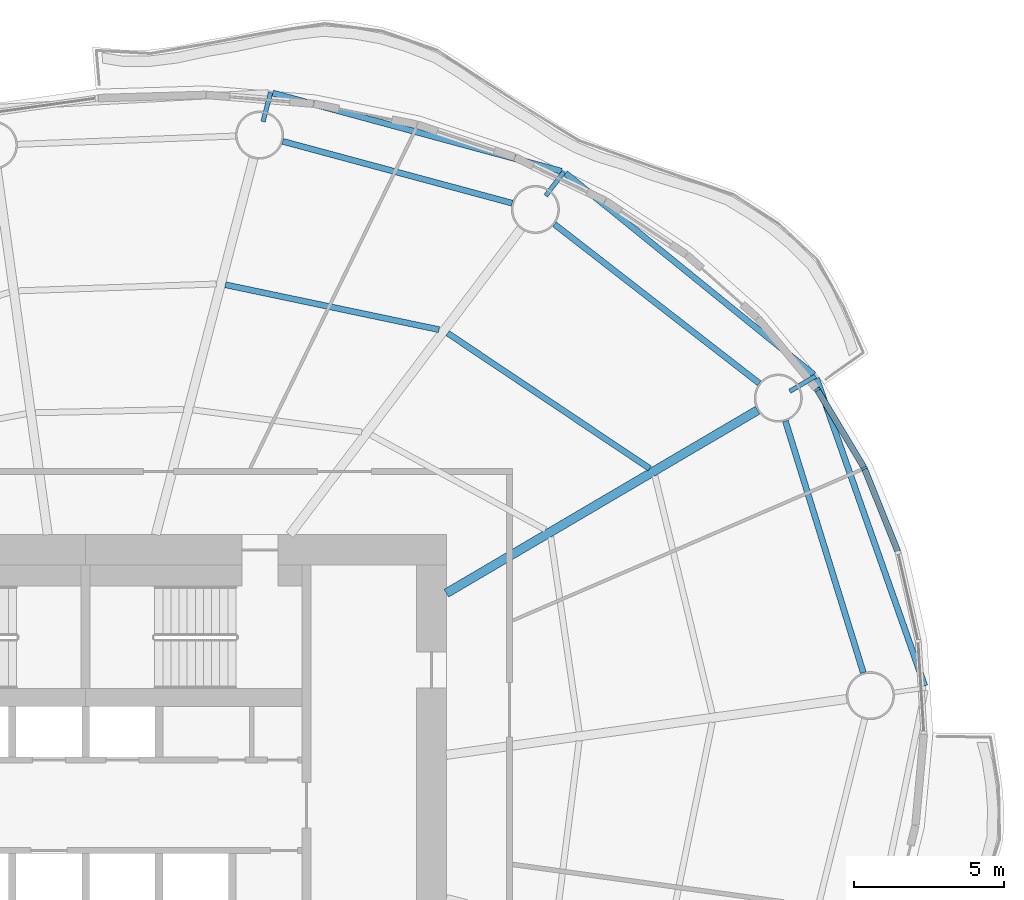
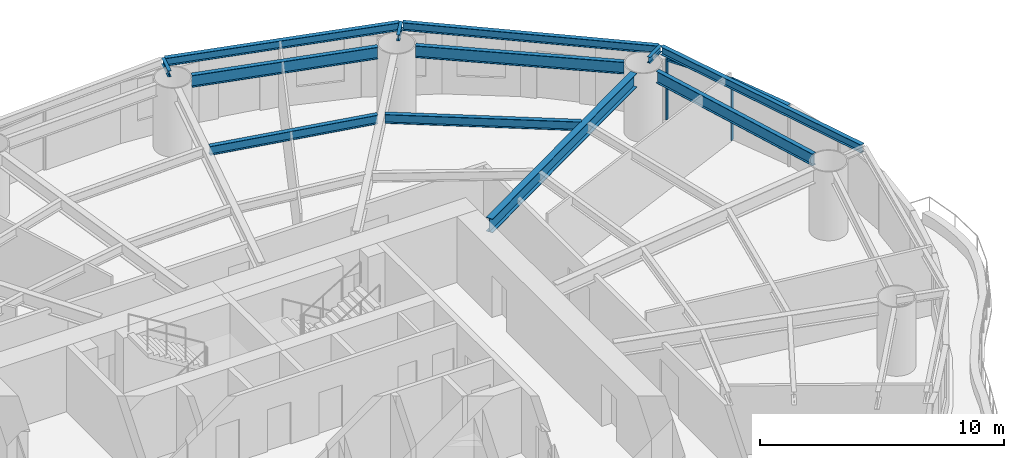
# One storey, part 6 of 16: 12 beams, 4 members, 2 elements without a shape of their own.
"""IFC4 building model written with IfcOpenShell, lengths in metres."""

import ifcopenshell
import ifcopenshell.guid

model = None  # the IFC model being written
_history = None  # IfcOwnerHistory: only IFC2X3 demands one
_inside = {}  # id of a spatial element -> (the spatial element, [elements in it])
_under = {}  # id of a project, library or spatial element -> (it, [spatial elements below it])
_declared = {}  # id of a project -> (the project, [libraries it declares])
_typed = {}  # id of a type object -> (the type object, [elements of that type])
_made_of = {}  # id of a material, layer set ... -> (it, [elements and type objects made of it])


def new_model(schema):
    """Start an empty IFC model of exactly this schema.

    Asked for "IFC4X3", IfcOpenShell would pick the latest addendum, in which some entities
    have other attributes; the version numbers below select the first issue.
    IFC2X3 requires an IfcOwnerHistory on every rooted entity: one is made here for all.
    """
    global model, _history
    if schema == "IFC4X3":
        model = ifcopenshell.file(schema_version=(4, 3, 0, 0))
    else:
        model = ifcopenshell.file(schema=schema)
    _inside.clear()
    _under.clear()
    _declared.clear()
    _typed.clear()
    _made_of.clear()
    _history = None
    if model.schema == "IFC2X3":
        org = make("IfcOrganization", Name="unknown")
        user = make(
            "IfcPersonAndOrganization",
            ThePerson=make("IfcPerson", FamilyName="unknown"),
            TheOrganization=org,
        )
        app = make(
            "IfcApplication",
            ApplicationDeveloper=org,
            Version="unknown",
            ApplicationFullName="unknown",
            ApplicationIdentifier="unknown",
        )
        _history = make(
            "IfcOwnerHistory",
            OwningUser=user,
            OwningApplication=app,
            ChangeAction="ADDED",
            CreationDate=0,
        )
    return model


def make(cls, **values):
    """One entity of the class cls with the attributes given. An attribute that is None is left unset."""
    return model.create_entity(
        cls, **{name: value for name, value in values.items() if value is not None}
    )


def rooted(cls, **values):
    """An entity with a GlobalId (a new one), such as an element, a storey or a relation."""
    return make(cls, GlobalId=ifcopenshell.guid.new(), OwnerHistory=_history, **values)


def si_unit(unit_type, name, prefix=None):
    """IfcSIUnit, for example si_unit("LENGTHUNIT", "METRE", prefix="MILLI")."""
    return make("IfcSIUnit", UnitType=unit_type, Prefix=prefix, Name=name)


def assignment(units):
    """IfcUnitAssignment: the units of a project."""
    return None if units is None else make("IfcUnitAssignment", Units=units)


def point(xyz):
    """IfcCartesianPoint."""
    return None if xyz is None else make("IfcCartesianPoint", Coordinates=xyz)


def direction(xyz):
    """IfcDirection."""
    return None if xyz is None else make("IfcDirection", DirectionRatios=xyz)


def frame(location, z_axis=None, x_axis=None):
    """IfcAxis2Placement3D, a coordinate frame: its origin and axes. An axis left out is left unset."""
    return make(
        "IfcAxis2Placement3D",
        Location=point(location),
        Axis=direction(z_axis),
        RefDirection=direction(x_axis),
    )


def frame_2d(location, x_axis=None):
    """IfcAxis2Placement2D, a coordinate frame in the plane: its origin and x axis."""
    return make(
        "IfcAxis2Placement2D", Location=point(location), RefDirection=direction(x_axis)
    )


def origin():
    """The frame at (0, 0, 0) with its axes left unset."""
    return frame((0.0, 0.0, 0.0))


def origin_2d():
    """The frame at (0, 0) in the plane with its x axis left unset."""
    return frame_2d((0.0, 0.0))


def place(relative_to, where):
    """IfcLocalPlacement: puts the frame where relative to a parent placement (None: the world)."""
    return make(
        "IfcLocalPlacement", PlacementRelTo=relative_to, RelativePlacement=where
    )


def context(
    kind, dimensions, precision=None, world=None, true_north=None, identifier=None
):
    """IfcGeometricRepresentationContext, for example the 3D "Model" context."""
    return make(
        "IfcGeometricRepresentationContext",
        ContextIdentifier=identifier,
        ContextType=kind,
        CoordinateSpaceDimension=dimensions,
        Precision=precision,
        WorldCoordinateSystem=world,
        TrueNorth=true_north,
    )


def subcontext(parent, identifier, kind, view, scale=None):
    """IfcGeometricRepresentationSubContext, for example "Body" below "Model"."""
    return make(
        "IfcGeometricRepresentationSubContext",
        ContextIdentifier=identifier,
        ContextType=kind,
        ParentContext=parent,
        TargetScale=scale,
        TargetView=view,
    )


def project(units=None, contexts=None):
    """IfcProject with its units and contexts."""
    return rooted(
        "IfcProject",
        Name="project",
        RepresentationContexts=contexts,
        UnitsInContext=assignment(units),
    )


def spatial(cls, under=None, at=None, **own):
    """A site, building, storey or space (cls), placed at a placement, below another one or the project."""
    s = rooted(cls, ObjectPlacement=at, **own)
    if under is not None:
        _under.setdefault(under.id(), (under, []))[1].append(s)
    return s


def profile(cls, at=None, kind="AREA", **sizes):
    """A parametric profile (cls). Its sizes go by their IFC names, for example OverallWidth=200.0."""
    return make(cls, ProfileType=kind, Position=at, **sizes)


def rectangle(**sizes):
    """IfcRectangleProfileDef."""
    return profile("IfcRectangleProfileDef", **sizes)


def i_section(**sizes):
    """IfcIShapeProfileDef."""
    return profile("IfcIShapeProfileDef", **sizes)


def extrude(swept, where, along, depth):
    """IfcExtrudedAreaSolid: the profile swept, set in the frame where, extruded along a direction by depth."""
    return make(
        "IfcExtrudedAreaSolid",
        SweptArea=swept,
        Position=where,
        ExtrudedDirection=direction(along),
        Depth=depth,
    )


def shape(context_of_items, identifier, shape_type, items):
    """IfcShapeRepresentation: the items that make up one representation, for example the "Body"."""
    return make(
        "IfcShapeRepresentation",
        ContextOfItems=context_of_items,
        RepresentationIdentifier=identifier,
        RepresentationType=shape_type,
        Items=items,
    )


def material(Name=None, Category=None):
    """IfcMaterial."""
    return make("IfcMaterial", Name=Name, Category=Category)


def material_profile(
    of_material, cross_section, Name=None, Category=None, Priority=None
):
    """IfcMaterialProfile: a cross section and its material."""
    return make(
        "IfcMaterialProfile",
        Name=Name,
        Material=of_material,
        Profile=cross_section,
        Priority=Priority,
        Category=Category,
    )


def profile_set(profiles, Name=None, composite=None):
    """IfcMaterialProfileSet."""
    return make(
        "IfcMaterialProfileSet",
        Name=Name,
        MaterialProfiles=profiles,
        CompositeProfile=composite,
    )


def made_of(thing, what):
    """Note that an element or type object is made of a material, layer set ...; save() writes the relation."""
    if what is not None:
        _made_of.setdefault(what.id(), (what, []))[1].append(thing)
    return thing


def type_object(cls, material=None, **own):
    """A type object (cls), such as IfcWallType, which elements share."""
    return made_of(rooted(cls, **own), material)


def element(
    cls,
    number,
    at=None,
    inside=None,
    cuts=None,
    type_object=None,
    material=None,
    context=None,
    identifier="Body",
    shape_type=None,
    held_by="IfcProductDefinitionShape",
    body=None,
    shapes=None,
    **own,
):
    """One element of the class cls, such as IfcWall. Its Tag is "e" and its number.

    at: its placement. inside: the storey or other place that contains it. cuts: it is an
    opening in that element (IfcRelVoidsElement). A single representation is given by context,
    identifier, shape_type and body (its items); several are given by shapes. held_by: the class
    of the entity that holds the representations. save() writes the other relations.
    """
    e = rooted(cls, Tag="e%d" % number, ObjectPlacement=at, **own)
    if body is not None:
        shapes = [shape(context, identifier, shape_type, body)]
    if shapes is not None:
        e.Representation = make(held_by, Representations=shapes)
    if inside is not None:
        _inside.setdefault(inside.id(), (inside, []))[1].append(e)
    if cuts is not None:
        rooted(
            "IfcRelVoidsElement", RelatingBuildingElement=cuts, RelatedOpeningElement=e
        )
    if type_object is not None:
        _typed.setdefault(type_object.id(), (type_object, []))[1].append(e)
    return made_of(e, material)


def aggregate(whole, parts):
    """IfcRelAggregates: a whole, such as a stair, and the parts it consists of."""
    return rooted("IfcRelAggregates", RelatingObject=whole, RelatedObjects=parts)


def save(model, path):
    """Write the relations noted so far, then the file.

    IfcRelAggregates (storeys below a building ...), IfcRelContainedInSpatialStructure (elements
    in a storey), IfcRelDefinesByType, IfcRelAssociatesMaterial and IfcRelDeclares: one each for
    every whole, place, type object, material and project.
    """
    for whole, parts in _under.values():
        aggregate(whole, parts)
    for where, things in _inside.values():
        rooted(
            "IfcRelContainedInSpatialStructure",
            RelatedElements=things,
            RelatingStructure=where,
        )
    for kind, things in _typed.values():
        rooted("IfcRelDefinesByType", RelatedObjects=things, RelatingType=kind)
    for what, things in _made_of.values():
        rooted("IfcRelAssociatesMaterial", RelatedObjects=things, RelatingMaterial=what)
    for by, libraries in _declared.values():
        rooted("IfcRelDeclares", RelatingContext=by, RelatedDefinitions=libraries)
    model.write(path)


model = new_model("IFC4")

# Units and contexts
model_context = context("Model", 3, precision=1e-05, world=origin(), true_north=direction((0.0, 1.0)))
body_context = subcontext(model_context, "Body", "Model", "MODEL_VIEW")
ifc_project = project(units=[si_unit("LENGTHUNIT", "METRE"), si_unit("AREAUNIT", "SQUARE_METRE"), si_unit("VOLUMEUNIT", "CUBIC_METRE"), si_unit("PLANEANGLEUNIT", "RADIAN"), si_unit("MASSUNIT", "GRAM", prefix="KILO")], contexts=[model_context])

# Site, building, storey
site_placement = place(None, origin())
site = spatial("IfcSite", under=ifc_project, at=site_placement, CompositionType="ELEMENT")
building_placement = place(site_placement, origin())
building = spatial("IfcBuilding", under=site, at=building_placement, Name="Vermilion Reach Broadcast Tower", CompositionType="ELEMENT")
storey_placement = place(building_placement, frame((0.0, 0.0, 103.0)))
storey = spatial("IfcBuildingStorey", under=building, at=storey_placement, Name="L23", CompositionType="ELEMENT", Elevation=103.0)

# Beams
ifc_material_1 = material(Name="Steel S355J2", Category="steel")
ifc_material_profile_1 = material_profile(ifc_material_1, i_section(OverallWidth=0.199951171875, OverallDepth=0.39990234375, WebThickness=0.008056640625, FlangeThickness=0.012939453125, at=origin_2d()), Name="S355J2 HN 400x200x8x13")
ifc_profile_set_1 = profile_set([ifc_material_profile_1], Name="Steel S355J2")
beam_type_1 = type_object("IfcBeamType", Name="EB2 HN 400x200x8x13", PredefinedType="BEAM", material=ifc_profile_set_1)
beam_1_placement = place(storey_placement, frame((18.224853515625, 14.328125, 3.25), z_axis=(-0.776693812818, 0.629878338356, 0.0), x_axis=(-0.629878338356, -0.776693812818, 0.0)))
element("IfcBeam", 1, at=beam_1_placement, inside=storey, type_object=beam_type_1, Name="Edge beam EB2-01", PredefinedType="BEAM", context=body_context, shape_type="SweptSolid", body=[
    extrude(i_section(OverallWidth=0.199951171875, OverallDepth=0.39990234375, WebThickness=0.008056640625, FlangeThickness=0.012939453125, at=origin_2d()), origin(), (0.0, 0.0, 1.0), 10.632568359375),
])
beam_2_placement = place(storey_placement, frame((9.830322265625, 21.093994140625, 3.25), z_axis=(-0.965297544198, 0.261152543862, 0.0), x_axis=(-0.261152543862, -0.965297544198, 0.0)))
element("IfcBeam", 2, at=beam_2_placement, inside=storey, type_object=beam_type_1, Name="Edge beam EB2-02", PredefinedType="BEAM", context=body_context, shape_type="SweptSolid", body=[
    extrude(i_section(OverallWidth=0.199951171875, OverallDepth=0.39990234375, WebThickness=0.008056640625, FlangeThickness=0.012939453125, at=origin_2d()), origin(), (0.0, 0.0, 1.0), 9.94873046875),
])
beam_3_placement = place(storey_placement, frame((21.915771484375, 3.97412109375, 3.25), z_axis=(-0.332178422681, 0.943216568719, 0.0), x_axis=(-0.943216568719, -0.332178422681, 0.0)))
element("IfcBeam", 3, at=beam_3_placement, inside=storey, type_object=beam_type_1, Name="Edge beam EB2-16", PredefinedType="BEAM", context=body_context, shape_type="SweptSolid", body=[
    extrude(i_section(OverallWidth=0.199951171875, OverallDepth=0.39990234375, WebThickness=0.008056640625, FlangeThickness=0.012939453125, at=origin_2d()), origin(), (0.0, 0.0, 1.0), 10.847412109375),
])
ifc_material_2 = material(Name="Steel S355J2", Category="steel")
ifc_material_profile_2 = material_profile(ifc_material_2, i_section(OverallWidth=0.300048828125, OverallDepth=0.699951171875, WebThickness=0.012939453125, FlangeThickness=0.02392578125, at=origin_2d()), Name="S355J2 HN 700x300x13x24")
ifc_profile_set_2 = profile_set([ifc_material_profile_2], Name="Steel S355J2")
beam_type_2 = type_object("IfcBeamType", Name="G2 HN 700x300x13x24", PredefinedType="BEAM", material=ifc_profile_set_2)
beam_4_placement = place(storey_placement, frame((6.0, 7.054443359375, 3.10009765625), z_axis=(0.862071616631, 0.506786471603, 0.0), x_axis=(-0.506786471603, 0.862071616631, 0.0)))
element("IfcBeam", 4, at=beam_4_placement, inside=storey, type_object=beam_type_2, Name="Girder G2-01", PredefinedType="BEAM", context=body_context, shape_type="SweptSolid", body=[
    extrude(i_section(OverallWidth=0.300048828125, OverallDepth=0.699951171875, WebThickness=0.012939453125, FlangeThickness=0.02392578125, at=origin_2d()), origin(), (0.0, 0.0, 1.0), 12.01025390625),
])
ifc_material_3 = material(Name="Steel S355J2", Category="steel")
ifc_material_profile_3 = material_profile(ifc_material_3, i_section(OverallWidth=0.14990234375, OverallDepth=0.300048828125, WebThickness=0.006591796875, FlangeThickness=0.009033203125, at=origin_2d()), Name="S355J2 HN 300x150x6.5x9")
ifc_profile_set_3 = profile_set([ifc_material_profile_3], Name="Steel S355J2")
beam_type_3 = type_object("IfcBeamType", Name="GS2 HN 300x150x6.5x9", PredefinedType="BEAM", material=ifc_profile_set_3)
for number, where, z_axis, x_axis, name in (
    (5, (17.425048828125, 13.770751953125, 3.300048828125), (0.862047161964, 0.506828068037, 0.0), (-0.506828068037, 0.862047161964, 0.0), "Cantilever stub GS2-01"),
    (6, (9.305908203125, 20.274658203125, 3.300048828125), (0.602536027779, 0.798091683473, 0.0), (-0.798091683473, 0.602536027779, 0.0), "Cantilever stub GS2-02"),
    (7, (-0.096923828125, 22.743896484375, 3.300048828125), (0.251199368006, 0.967935368459, 0.0), (-0.967935368459, 0.251199368006, 0.0), "Cantilever stub GS2-03"),
):
    element("IfcBeam", number, at=place(storey_placement, frame(where, z_axis=z_axis, x_axis=x_axis)), inside=storey, type_object=beam_type_3, Name=name, PredefinedType="BEAM", context=body_context, shape_type="SweptSolid", body=[
        extrude(i_section(OverallWidth=0.14990234375, OverallDepth=0.300048828125, WebThickness=0.006591796875, FlangeThickness=0.009033203125, at=origin_2d()), origin(), (0.0, 0.0, 1.0), 1.0),
    ])
ifc_material_4 = material(Name="Steel S355J2", Category="steel")
ifc_material_profile_4 = material_profile(ifc_material_4, i_section(OverallWidth=0.199951171875, OverallDepth=0.60009765625, WebThickness=0.010986328125, FlangeThickness=0.01708984375, at=origin_2d()), Name="S355J2 HN 600x200x11x17")
ifc_profile_set_4 = profile_set([ifc_material_profile_4], Name="Steel S355J2")
beam_type_4 = type_object("IfcBeamType", Name="RB2 HN 600x200x11x17", PredefinedType="BEAM", material=ifc_profile_set_4)
beam_5_placement = place(storey_placement, frame((16.41162109375, 14.037109375, 3.14990234375), z_axis=(-0.789825712432, 0.613331349257, 0.0), x_axis=(-0.613331349257, -0.789825712432, 0.0)))
element("IfcBeam", 8, at=beam_5_placement, inside=storey, type_object=beam_type_4, Name="Ring beam RB2-01", PredefinedType="BEAM", context=body_context, shape_type="SweptSolid", body=[
    extrude(i_section(OverallWidth=0.199951171875, OverallDepth=0.60009765625, WebThickness=0.010986328125, FlangeThickness=0.01708984375, at=origin_2d()), origin(), (0.0, 0.0, 1.0), 8.63037109375),
])
beam_6_placement = place(storey_placement, frame((8.19091796875, 20.029296875, 3.14990234375), z_axis=(-0.965541463834, 0.260249268234, 0.0), x_axis=(-0.260249268234, -0.965541463834, 0.0)))
element("IfcBeam", 9, at=beam_6_placement, inside=storey, type_object=beam_type_4, Name="Ring beam RB2-02", PredefinedType="BEAM", context=body_context, shape_type="SweptSolid", body=[
    extrude(i_section(OverallWidth=0.199951171875, OverallDepth=0.60009765625, WebThickness=0.010986328125, FlangeThickness=0.01708984375, at=origin_2d()), origin(), (0.0, 0.0, 1.0), 7.904541015625),
])
beam_7_placement = place(storey_placement, frame((19.872314453125, 4.410400390625, 3.14990234375), z_axis=(-0.295788439635, 0.95525347368, 0.0), x_axis=(-0.95525347368, -0.295788439635, 0.0)))
element("IfcBeam", 10, at=beam_7_placement, inside=storey, type_object=beam_type_4, Name="Ring beam RB2-16", PredefinedType="BEAM", context=body_context, shape_type="SweptSolid", body=[
    extrude(i_section(OverallWidth=0.199951171875, OverallDepth=0.60009765625, WebThickness=0.010986328125, FlangeThickness=0.01708984375, at=origin_2d()), origin(), (0.0, 0.0, 1.0), 8.763916015625),
])
ifc_material_5 = material(Name="Steel S355J2", Category="steel")
ifc_material_profile_5 = material_profile(ifc_material_5, i_section(OverallWidth=0.199951171875, OverallDepth=0.449951171875, WebThickness=0.009033203125, FlangeThickness=0.013916015625, at=origin_2d()), Name="S355J2 HN 450x200x9x14")
ifc_profile_set_5 = profile_set([ifc_material_profile_5], Name="Steel S355J2")
beam_type_5 = type_object("IfcBeamType", Name="SB2 HN 450x200x9x14", PredefinedType="BEAM", material=ifc_profile_set_5)
beam_8_placement = place(storey_placement, frame((12.76416015625, 11.204833984375, 3.22509765625), z_axis=(-0.830915400975, 0.556398774641, 0.0), x_axis=(-0.556398774641, -0.830915400975, 0.0)))
element("IfcBeam", 11, at=beam_8_placement, inside=storey, type_object=beam_type_5, Name="Secondary beam SB2-01-2", PredefinedType="BEAM", context=body_context, shape_type="SweptSolid", body=[
    extrude(i_section(OverallWidth=0.199951171875, OverallDepth=0.449951171875, WebThickness=0.009033203125, FlangeThickness=0.013916015625, at=origin_2d()), origin(), (0.0, 0.0, 1.0), 8.087646484375),
])
beam_9_placement = place(storey_placement, frame((5.7568359375, 15.822509765625, 3.22509765625), z_axis=(-0.978631382549, 0.205622511148, 0.0), x_axis=(-0.205622511148, -0.978631382549, 0.0)))
element("IfcBeam", 12, at=beam_9_placement, inside=storey, type_object=beam_type_5, Name="Secondary beam SB2-02-2", PredefinedType="BEAM", context=body_context, shape_type="SweptSolid", body=[
    extrude(i_section(OverallWidth=0.199951171875, OverallDepth=0.449951171875, WebThickness=0.009033203125, FlangeThickness=0.013916015625, at=origin_2d()), origin(), (0.0, 0.0, 1.0), 7.262939453125),
])

# Curtain wall, members
ifc_material_6 = material(Name="Low-e laminated clear glass in aluminium frame", Category="aluminium")
curtain_wall_type = type_object("IfcCurtainWallType", Name="Slot curtain wall", PredefinedType="NOTDEFINED", material=ifc_material_6)
placement = place(storey_placement, origin())
curtain_wall_1 = element("IfcCurtainWall", 13, at=placement, inside=storey, type_object=curtain_wall_type, Name="Slot curtain wall L23 01", PredefinedType="NOTDEFINED")
ifc_material_7 = material(Name="Anodised aluminium", Category="aluminium")
ifc_material_profile_6 = material_profile(ifc_material_7, rectangle(XDim=0.199951171875, YDim=0.080078125, at=origin_2d()), Name="Slot mullion 80 x 200")
ifc_profile_set_6 = profile_set([ifc_material_profile_6], Name="Anodised aluminium")
member_type_1 = type_object("IfcMemberType", Name="Slot mullion 80 x 200", PredefinedType="MULLION", material=ifc_profile_set_6)
member_1_placement = place(storey_placement, frame((19.90576171875, 11.213623046875, 0.0), z_axis=(0.0, 0.0, 1.0), x_axis=(-0.895798127321, -0.444461151383, 0.0)))
member_1 = element("IfcMember", 14, at=member_1_placement, type_object=member_type_1, Name="Slot mullion L23 01", PredefinedType="MULLION", context=body_context, shape_type="SweptSolid", body=[
    extrude(rectangle(XDim=0.199951171875, YDim=0.080078125, at=origin_2d()), origin(), (0.0, 0.0, 1.0), 3.050048828125),
])
member_2_placement = place(storey_placement, frame((18.33935546875, 13.828125, 0.0), z_axis=(0.0, 0.0, 1.0), x_axis=(-0.815598410446, -0.578618382768, 0.0)))
member_2 = element("IfcMember", 15, at=member_2_placement, type_object=member_type_1, Name="Slot mullion L23 02", PredefinedType="MULLION", context=body_context, shape_type="SweptSolid", body=[
    extrude(rectangle(XDim=0.199951171875, YDim=0.080078125, at=origin_2d()), origin(), (0.0, 0.0, 1.0), 3.050048828125),
])

# Curtain wall, member
curtain_wall_2 = element("IfcCurtainWall", 16, at=placement, inside=storey, type_object=curtain_wall_type, Name="Slot curtain wall L23 00", PredefinedType="NOTDEFINED")
ifc_material_8 = material(Name="Anodised aluminium", Category="aluminium")
ifc_material_profile_7 = material_profile(ifc_material_8, rectangle(XDim=0.199951171875, YDim=0.10009765625, at=origin_2d()), Name="Slot transom 200 x 100")
ifc_profile_set_7 = profile_set([ifc_material_profile_7], Name="Anodised aluminium")
member_type_2 = type_object("IfcMemberType", Name="Slot transom 200 x 100", PredefinedType="USERDEFINED", material=ifc_profile_set_7)
member_3_placement = place(storey_placement, frame((21.015625, 8.44580078125, 3.0), z_axis=(-0.372177447965, 0.928161595427, 0.0), x_axis=(-0.928161595427, -0.372177447965, 0.0)))
member_3 = element("IfcMember", 17, at=member_3_placement, type_object=member_type_2, Name="Slot transom L23 00.1", ObjectType="TRANSOM", PredefinedType="USERDEFINED", context=body_context, shape_type="SweptSolid", body=[
    extrude(rectangle(XDim=0.199951171875, YDim=0.10009765625, at=origin_2d()), origin(), (0.0, 0.0, 1.0), 2.942138671875),
])
aggregate(curtain_wall_2, [member_3])

# Member
member_4_placement = place(storey_placement, frame((19.88525390625, 11.247802734375, 3.0), z_axis=(-0.513927117489, 0.857833852159, 0.0), x_axis=(-0.857833852159, -0.513927117489, 0.0)))
member_4 = element("IfcMember", 18, at=member_4_placement, type_object=member_type_2, Name="Slot transom L23 01.1", ObjectType="TRANSOM", PredefinedType="USERDEFINED", context=body_context, shape_type="SweptSolid", body=[
    extrude(rectangle(XDim=0.199951171875, YDim=0.10009765625, at=origin_2d()), origin(), (0.0, 0.0, 1.0), 2.968017578125),
])

aggregate(curtain_wall_1, [member_1, member_2, member_4])

save(model, "model.ifc")
